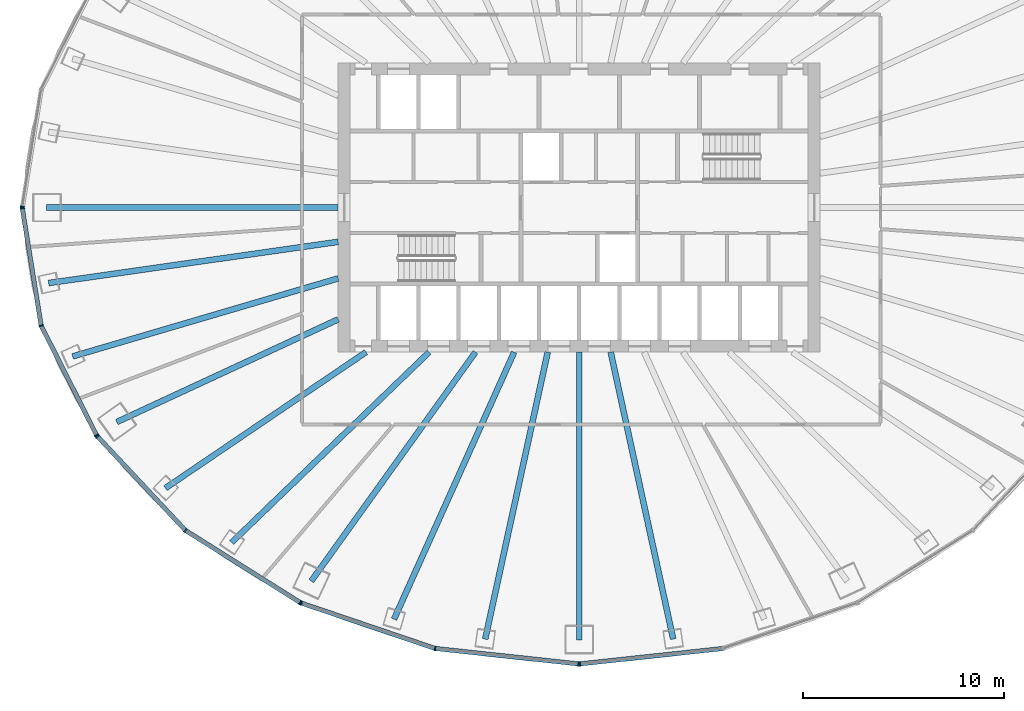
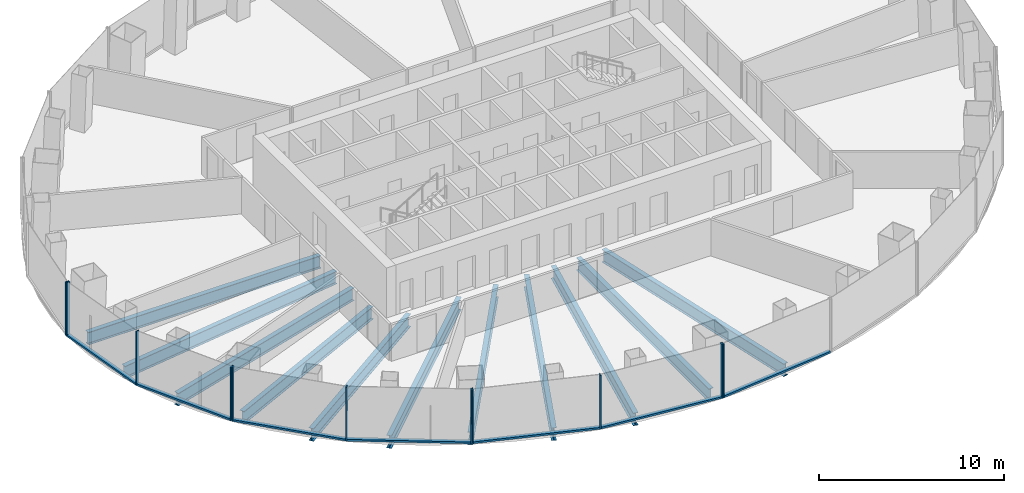
# One storey, part 2 of 11: 18 members, 11 beams, 5 elements without a shape of their own.
"""IFC4 building model written with IfcOpenShell, lengths in metres."""

import ifcopenshell
import ifcopenshell.guid

model = None  # the IFC model being written
_history = None  # IfcOwnerHistory: only IFC2X3 demands one
_inside = {}  # id of a spatial element -> (the spatial element, [elements in it])
_under = {}  # id of a project, library or spatial element -> (it, [spatial elements below it])
_declared = {}  # id of a project -> (the project, [libraries it declares])
_typed = {}  # id of a type object -> (the type object, [elements of that type])
_made_of = {}  # id of a material, layer set ... -> (it, [elements and type objects made of it])


def new_model(schema):
    """Start an empty IFC model of exactly this schema.

    Asked for "IFC4X3", IfcOpenShell would pick the latest addendum, in which some entities
    have other attributes; the version numbers below select the first issue.
    IFC2X3 requires an IfcOwnerHistory on every rooted entity: one is made here for all.
    """
    global model, _history
    if schema == "IFC4X3":
        model = ifcopenshell.file(schema_version=(4, 3, 0, 0))
    else:
        model = ifcopenshell.file(schema=schema)
    _inside.clear()
    _under.clear()
    _declared.clear()
    _typed.clear()
    _made_of.clear()
    _history = None
    if model.schema == "IFC2X3":
        org = make("IfcOrganization", Name="unknown")
        user = make(
            "IfcPersonAndOrganization",
            ThePerson=make("IfcPerson", FamilyName="unknown"),
            TheOrganization=org,
        )
        app = make(
            "IfcApplication",
            ApplicationDeveloper=org,
            Version="unknown",
            ApplicationFullName="unknown",
            ApplicationIdentifier="unknown",
        )
        _history = make(
            "IfcOwnerHistory",
            OwningUser=user,
            OwningApplication=app,
            ChangeAction="ADDED",
            CreationDate=0,
        )
    return model


def make(cls, **values):
    """One entity of the class cls with the attributes given. An attribute that is None is left unset."""
    return model.create_entity(
        cls, **{name: value for name, value in values.items() if value is not None}
    )


def rooted(cls, **values):
    """An entity with a GlobalId (a new one), such as an element, a storey or a relation."""
    return make(cls, GlobalId=ifcopenshell.guid.new(), OwnerHistory=_history, **values)


def si_unit(unit_type, name, prefix=None):
    """IfcSIUnit, for example si_unit("LENGTHUNIT", "METRE", prefix="MILLI")."""
    return make("IfcSIUnit", UnitType=unit_type, Prefix=prefix, Name=name)


def assignment(units):
    """IfcUnitAssignment: the units of a project."""
    return None if units is None else make("IfcUnitAssignment", Units=units)


def point(xyz):
    """IfcCartesianPoint."""
    return None if xyz is None else make("IfcCartesianPoint", Coordinates=xyz)


def direction(xyz):
    """IfcDirection."""
    return None if xyz is None else make("IfcDirection", DirectionRatios=xyz)


def frame(location, z_axis=None, x_axis=None):
    """IfcAxis2Placement3D, a coordinate frame: its origin and axes. An axis left out is left unset."""
    return make(
        "IfcAxis2Placement3D",
        Location=point(location),
        Axis=direction(z_axis),
        RefDirection=direction(x_axis),
    )


def frame_2d(location, x_axis=None):
    """IfcAxis2Placement2D, a coordinate frame in the plane: its origin and x axis."""
    return make(
        "IfcAxis2Placement2D", Location=point(location), RefDirection=direction(x_axis)
    )


def origin():
    """The frame at (0, 0, 0) with its axes left unset."""
    return frame((0.0, 0.0, 0.0))


def origin_2d():
    """The frame at (0, 0) in the plane with its x axis left unset."""
    return frame_2d((0.0, 0.0))


def place(relative_to, where):
    """IfcLocalPlacement: puts the frame where relative to a parent placement (None: the world)."""
    return make(
        "IfcLocalPlacement", PlacementRelTo=relative_to, RelativePlacement=where
    )


def context(
    kind, dimensions, precision=None, world=None, true_north=None, identifier=None
):
    """IfcGeometricRepresentationContext, for example the 3D "Model" context."""
    return make(
        "IfcGeometricRepresentationContext",
        ContextIdentifier=identifier,
        ContextType=kind,
        CoordinateSpaceDimension=dimensions,
        Precision=precision,
        WorldCoordinateSystem=world,
        TrueNorth=true_north,
    )


def subcontext(parent, identifier, kind, view, scale=None):
    """IfcGeometricRepresentationSubContext, for example "Body" below "Model"."""
    return make(
        "IfcGeometricRepresentationSubContext",
        ContextIdentifier=identifier,
        ContextType=kind,
        ParentContext=parent,
        TargetScale=scale,
        TargetView=view,
    )


def project(units=None, contexts=None):
    """IfcProject with its units and contexts."""
    return rooted(
        "IfcProject",
        Name="project",
        RepresentationContexts=contexts,
        UnitsInContext=assignment(units),
    )


def spatial(cls, under=None, at=None, **own):
    """A site, building, storey or space (cls), placed at a placement, below another one or the project."""
    s = rooted(cls, ObjectPlacement=at, **own)
    if under is not None:
        _under.setdefault(under.id(), (under, []))[1].append(s)
    return s


def profile(cls, at=None, kind="AREA", **sizes):
    """A parametric profile (cls). Its sizes go by their IFC names, for example OverallWidth=200.0."""
    return make(cls, ProfileType=kind, Position=at, **sizes)


def rectangle(**sizes):
    """IfcRectangleProfileDef."""
    return profile("IfcRectangleProfileDef", **sizes)


def i_section(**sizes):
    """IfcIShapeProfileDef."""
    return profile("IfcIShapeProfileDef", **sizes)


def extrude(swept, where, along, depth):
    """IfcExtrudedAreaSolid: the profile swept, set in the frame where, extruded along a direction by depth."""
    return make(
        "IfcExtrudedAreaSolid",
        SweptArea=swept,
        Position=where,
        ExtrudedDirection=direction(along),
        Depth=depth,
    )


def shape(context_of_items, identifier, shape_type, items):
    """IfcShapeRepresentation: the items that make up one representation, for example the "Body"."""
    return make(
        "IfcShapeRepresentation",
        ContextOfItems=context_of_items,
        RepresentationIdentifier=identifier,
        RepresentationType=shape_type,
        Items=items,
    )


def material(Name=None, Category=None):
    """IfcMaterial."""
    return make("IfcMaterial", Name=Name, Category=Category)


def layer(
    of_material, thickness, ventilated=None, Name=None, Category=None, Priority=None
):
    """IfcMaterialLayer: one layer of a wall or slab, of a material (None: an air gap)."""
    return make(
        "IfcMaterialLayer",
        Material=of_material,
        LayerThickness=thickness,
        IsVentilated=ventilated,
        Name=Name,
        Category=Category,
        Priority=Priority,
    )


def layer_set(layers, Name=None):
    """IfcMaterialLayerSet."""
    return make("IfcMaterialLayerSet", MaterialLayers=layers, LayerSetName=Name)


def material_profile(
    of_material, cross_section, Name=None, Category=None, Priority=None
):
    """IfcMaterialProfile: a cross section and its material."""
    return make(
        "IfcMaterialProfile",
        Name=Name,
        Material=of_material,
        Profile=cross_section,
        Priority=Priority,
        Category=Category,
    )


def profile_set(profiles, Name=None, composite=None):
    """IfcMaterialProfileSet."""
    return make(
        "IfcMaterialProfileSet",
        Name=Name,
        MaterialProfiles=profiles,
        CompositeProfile=composite,
    )


def made_of(thing, what):
    """Note that an element or type object is made of a material, layer set ...; save() writes the relation."""
    if what is not None:
        _made_of.setdefault(what.id(), (what, []))[1].append(thing)
    return thing


def type_object(cls, material=None, **own):
    """A type object (cls), such as IfcWallType, which elements share."""
    return made_of(rooted(cls, **own), material)


def element(
    cls,
    number,
    at=None,
    inside=None,
    cuts=None,
    type_object=None,
    material=None,
    context=None,
    identifier="Body",
    shape_type=None,
    held_by="IfcProductDefinitionShape",
    body=None,
    shapes=None,
    **own,
):
    """One element of the class cls, such as IfcWall. Its Tag is "e" and its number.

    at: its placement. inside: the storey or other place that contains it. cuts: it is an
    opening in that element (IfcRelVoidsElement). A single representation is given by context,
    identifier, shape_type and body (its items); several are given by shapes. held_by: the class
    of the entity that holds the representations. save() writes the other relations.
    """
    e = rooted(cls, Tag="e%d" % number, ObjectPlacement=at, **own)
    if body is not None:
        shapes = [shape(context, identifier, shape_type, body)]
    if shapes is not None:
        e.Representation = make(held_by, Representations=shapes)
    if inside is not None:
        _inside.setdefault(inside.id(), (inside, []))[1].append(e)
    if cuts is not None:
        rooted(
            "IfcRelVoidsElement", RelatingBuildingElement=cuts, RelatedOpeningElement=e
        )
    if type_object is not None:
        _typed.setdefault(type_object.id(), (type_object, []))[1].append(e)
    return made_of(e, material)


def aggregate(whole, parts):
    """IfcRelAggregates: a whole, such as a stair, and the parts it consists of."""
    return rooted("IfcRelAggregates", RelatingObject=whole, RelatedObjects=parts)


def save(model, path):
    """Write the relations noted so far, then the file.

    IfcRelAggregates (storeys below a building ...), IfcRelContainedInSpatialStructure (elements
    in a storey), IfcRelDefinesByType, IfcRelAssociatesMaterial and IfcRelDeclares: one each for
    every whole, place, type object, material and project.
    """
    for whole, parts in _under.values():
        aggregate(whole, parts)
    for where, things in _inside.values():
        rooted(
            "IfcRelContainedInSpatialStructure",
            RelatedElements=things,
            RelatingStructure=where,
        )
    for kind, things in _typed.values():
        rooted("IfcRelDefinesByType", RelatedObjects=things, RelatingType=kind)
    for what, things in _made_of.values():
        rooted("IfcRelAssociatesMaterial", RelatedObjects=things, RelatingMaterial=what)
    for by, libraries in _declared.values():
        rooted("IfcRelDeclares", RelatingContext=by, RelatedDefinitions=libraries)
    model.write(path)


model = new_model("IFC4")

# Units and contexts
model_context = context("Model", 3, precision=1e-05, world=origin(), true_north=direction((0.0, 1.0)))
body_context = subcontext(model_context, "Body", "Model", "MODEL_VIEW")
ifc_project = project(units=[si_unit("LENGTHUNIT", "METRE"), si_unit("AREAUNIT", "SQUARE_METRE"), si_unit("VOLUMEUNIT", "CUBIC_METRE"), si_unit("PLANEANGLEUNIT", "RADIAN"), si_unit("MASSUNIT", "GRAM", prefix="KILO")], contexts=[model_context])

# Site, building, storey
site_placement = place(None, origin())
site = spatial("IfcSite", under=ifc_project, at=site_placement, CompositionType="ELEMENT")
building_placement = place(site_placement, origin())
building = spatial("IfcBuilding", under=site, at=building_placement, Name="Siaravel Broadcast Tower", CompositionType="ELEMENT")
storey_placement = place(building_placement, frame((0.0, 0.0, 55.60009765625)))
storey = spatial("IfcBuildingStorey", under=building, at=storey_placement, Name="L12", CompositionType="ELEMENT", Elevation=55.60009765625)

# Beams
ifc_material_1 = material(Name="Steel S355", Category="steel")
ifc_material_profile_1 = material_profile(ifc_material_1, i_section(OverallWidth=0.291748046875, OverallDepth=0.8349609375, WebThickness=0.013916015625, FlangeThickness=0.018798828125, FilletRadius=0.017822265625, at=origin_2d()))
ifc_profile_set_1 = profile_set([ifc_material_profile_1], Name="Steel S355")
beam_type = type_object("IfcBeamType", Name="BM-UB 838x292x176", PredefinedType="BEAM", material=ifc_profile_set_1)
beam_1_placement = place(storey_placement, frame((-26.517822265625, 0.0, -0.5673828125), z_axis=(1.0, 0.0, 0.0), x_axis=(0.0, 1.0, 0.0)))
element("IfcBeam", 1, at=beam_1_placement, inside=storey, type_object=beam_type, Name="Radial beam RB19", PredefinedType="BEAM", context=body_context, shape_type="SweptSolid", body=[
    extrude(i_section(OverallWidth=0.291748046875, OverallDepth=0.8349609375, WebThickness=0.013916015625, FlangeThickness=0.018798828125, FilletRadius=0.017822265625, at=origin_2d()), origin(), (0.0, 0.0, 1.0), 14.517822265625),
])
beam_2_placement = place(storey_placement, frame((-26.416259765625, -3.760009765625, -0.5673828125), z_axis=(0.990021125, 0.140919026, 0.0), x_axis=(-0.140919026, 0.990021125, 0.0)))
element("IfcBeam", 2, at=beam_2_placement, inside=storey, type_object=beam_type, Name="Radial beam RB20", PredefinedType="BEAM", context=body_context, shape_type="SweptSolid", body=[
    extrude(i_section(OverallWidth=0.291748046875, OverallDepth=0.8349609375, WebThickness=0.013916015625, FlangeThickness=0.018798828125, FilletRadius=0.017822265625, at=origin_2d()), origin(), (0.0, 0.0, 1.0), 14.5615234375),
])
beam_3_placement = place(storey_placement, frame((-25.22119140625, -7.412353515625, -0.5673828125), z_axis=(0.959421341, 0.281976402, 0.0), x_axis=(-0.281976402, 0.959421341, 0.0)))
element("IfcBeam", 3, at=beam_3_placement, inside=storey, type_object=beam_type, Name="Radial beam RB21", PredefinedType="BEAM", context=body_context, shape_type="SweptSolid", body=[
    extrude(i_section(OverallWidth=0.291748046875, OverallDepth=0.8349609375, WebThickness=0.013916015625, FlangeThickness=0.018798828125, FilletRadius=0.017822265625, at=origin_2d()), origin(), (0.0, 0.0, 1.0), 13.7802734375),
])
beam_4_placement = place(storey_placement, frame((-23.018798828125, -10.677490234375, -0.5673828125), z_axis=(0.907159436, 0.420787069, 0.0), x_axis=(-0.420787069, 0.907159436, 0.0)))
element("IfcBeam", 4, at=beam_4_placement, inside=storey, type_object=beam_type, Name="Radial beam RB22", PredefinedType="BEAM", context=body_context, shape_type="SweptSolid", body=[
    extrude(i_section(OverallWidth=0.291748046875, OverallDepth=0.8349609375, WebThickness=0.013916015625, FlangeThickness=0.018798828125, FilletRadius=0.017822265625, at=origin_2d()), origin(), (0.0, 0.0, 1.0), 12.146484375),
])
beam_5_placement = place(storey_placement, frame((-20.59765625, -13.96875, -0.5673828125), z_axis=(0.8276296, 0.561274661, 0.0), x_axis=(-0.561274661, 0.8276296, 0.0)))
element("IfcBeam", 5, at=beam_5_placement, inside=storey, type_object=beam_type, Name="Radial beam RB23", PredefinedType="BEAM", context=body_context, shape_type="SweptSolid", body=[
    extrude(i_section(OverallWidth=0.291748046875, OverallDepth=0.8349609375, WebThickness=0.013916015625, FlangeThickness=0.018798828125, FilletRadius=0.017822265625, at=origin_2d()), origin(), (0.0, 0.0, 1.0), 12.0595703125),
])
beam_6_placement = place(storey_placement, frame((-17.29931640625, -16.67041015625, -0.5673828125), z_axis=(0.720070904, 0.693900493, 0.0), x_axis=(-0.693900493, 0.720070904, 0.0)))
element("IfcBeam", 6, at=beam_6_placement, inside=storey, type_object=beam_type, Name="Radial beam RB24", PredefinedType="BEAM", context=body_context, shape_type="SweptSolid", body=[
    extrude(i_section(OverallWidth=0.291748046875, OverallDepth=0.8349609375, WebThickness=0.013916015625, FlangeThickness=0.018798828125, FilletRadius=0.017822265625, at=origin_2d()), origin(), (0.0, 0.0, 1.0), 13.648193359375),
])
beam_7_placement = place(storey_placement, frame((-13.338623046875, -18.596923828125, -0.5673828125), z_axis=(0.582824427, 0.812598109, 0.0), x_axis=(-0.812598109, 0.582824427, 0.0)))
element("IfcBeam", 7, at=beam_7_placement, inside=storey, type_object=beam_type, Name="Radial beam RB25", PredefinedType="BEAM", context=body_context, shape_type="SweptSolid", body=[
    extrude(i_section(OverallWidth=0.291748046875, OverallDepth=0.8349609375, WebThickness=0.013916015625, FlangeThickness=0.018798828125, FilletRadius=0.017822265625, at=origin_2d()), origin(), (0.0, 0.0, 1.0), 14.025390625),
])
beam_8_placement = place(storey_placement, frame((-9.21728515625, -20.4912109375, -0.5673828125), z_axis=(0.410219095, 0.911987003, 0.0), x_axis=(-0.911987003, 0.410219095, 0.0)))
element("IfcBeam", 8, at=beam_8_placement, inside=storey, type_object=beam_type, Name="Radial beam RB26", PredefinedType="BEAM", context=body_context, shape_type="SweptSolid", body=[
    extrude(i_section(OverallWidth=0.291748046875, OverallDepth=0.8349609375, WebThickness=0.013916015625, FlangeThickness=0.018798828125, FilletRadius=0.017822265625, at=origin_2d()), origin(), (0.0, 0.0, 1.0), 14.573974609375),
])
beam_9_placement = place(storey_placement, frame((-4.681396484375, -21.48681640625, -0.5673828125), z_axis=(0.212883659, 0.977077555, 0.0), x_axis=(-0.977077555, 0.212883659, 0.0)))
element("IfcBeam", 9, at=beam_9_placement, inside=storey, type_object=beam_type, Name="Radial beam RB27", PredefinedType="BEAM", context=body_context, shape_type="SweptSolid", body=[
    extrude(i_section(OverallWidth=0.291748046875, OverallDepth=0.8349609375, WebThickness=0.013916015625, FlangeThickness=0.018798828125, FilletRadius=0.017822265625, at=origin_2d()), origin(), (0.0, 0.0, 1.0), 14.6220703125),
])
beam_10_placement = place(storey_placement, frame((0.0, -21.522216796875, -0.5673828125), z_axis=(0.0, 1.0, 0.0), x_axis=(-1.0, 0.0, 0.0)))
element("IfcBeam", 10, at=beam_10_placement, inside=storey, type_object=beam_type, Name="Radial beam RB28", PredefinedType="BEAM", context=body_context, shape_type="SweptSolid", body=[
    extrude(i_section(OverallWidth=0.291748046875, OverallDepth=0.8349609375, WebThickness=0.013916015625, FlangeThickness=0.018798828125, FilletRadius=0.017822265625, at=origin_2d()), origin(), (0.0, 0.0, 1.0), 14.322265625),
])
beam_11_placement = place(storey_placement, frame((4.681396484375, -21.48681640625, -0.5673828125), z_axis=(-0.212883659, 0.977077555, 0.0), x_axis=(-0.977077555, -0.212883659, 0.0)))
element("IfcBeam", 11, at=beam_11_placement, inside=storey, type_object=beam_type, Name="Radial beam RB29", PredefinedType="BEAM", context=body_context, shape_type="SweptSolid", body=[
    extrude(i_section(OverallWidth=0.291748046875, OverallDepth=0.8349609375, WebThickness=0.013916015625, FlangeThickness=0.018798828125, FilletRadius=0.017822265625, at=origin_2d()), origin(), (0.0, 0.0, 1.0), 14.6220703125),
])

# Curtain wall, member
ifc_material_2 = material(Name="Aluminium 6063-T6", Category="aluminium")
ifc_layer = layer(ifc_material_2, 0.219970703125)
ifc_layer_set = layer_set([ifc_layer], Name="Aluminium 6063-T6")
curtain_wall_type = type_object("IfcCurtainWallType", Name="Unitised curtain wall, zone 1", PredefinedType="NOTDEFINED", material=ifc_layer_set)
curtain_wall_1_placement = place(storey_placement, origin())
curtain_wall_1 = element("IfcCurtainWall", 12, at=curtain_wall_1_placement, inside=storey, type_object=curtain_wall_type, Name="L12 Unitised curtain wall, zone 1 06", PredefinedType="NOTDEFINED")
ifc_material_profile_2 = material_profile(ifc_material_2, rectangle(XDim=0.219970703125, YDim=0.070068359375, at=origin_2d()))
ifc_profile_set_2 = profile_set([ifc_material_profile_2], Name="Aluminium 6063-T6")
member_type_1 = type_object("IfcMemberType", Name="CW-Z1 mullion", PredefinedType="MULLION", material=ifc_profile_set_2)
member_1_placement = place(storey_placement, frame((-27.726318359375, 0.03466796875, 0.0), z_axis=(0.0, 0.0, 1.0), x_axis=(0.987329143, -0.158685735, 0.0)))
member_1 = element("IfcMember", 13, at=member_1_placement, type_object=member_type_1, Name="CW-Z1 mullion 3", PredefinedType="MULLION", context=body_context, shape_type="SweptSolid", body=[
    extrude(rectangle(XDim=0.219970703125, YDim=0.070068359375, at=origin_2d()), origin(), (0.0, 0.0, 1.0), 3.5498046875),
])
aggregate(curtain_wall_1, [member_1])

# Curtain wall, members
curtain_wall_2_placement = place(storey_placement, origin())
curtain_wall_2 = element("IfcCurtainWall", 14, at=curtain_wall_2_placement, inside=storey, type_object=curtain_wall_type, Name="L12 Unitised curtain wall, zone 1 07", PredefinedType="NOTDEFINED")
member_2_placement = place(storey_placement, frame((-27.726318359375, -0.03466796875, 0.0), z_axis=(0.0, 0.0, 1.0), x_axis=(0.987329143, 0.158685735, 0.0)))
member_2 = element("IfcMember", 15, at=member_2_placement, type_object=member_type_1, Name="CW-Z1 mullion 1", PredefinedType="MULLION", context=body_context, shape_type="SweptSolid", body=[
    extrude(rectangle(XDim=0.219970703125, YDim=0.070068359375, at=origin_2d()), origin(), (0.0, 0.0, 1.0), 3.5498046875),
])
member_3_placement = place(storey_placement, frame((-26.7861328125, -5.88427734375, 0.0), z_axis=(0.0, 0.0, 1.0), x_axis=(0.951177111, 0.308645596, 0.0)))
member_3 = element("IfcMember", 16, at=member_3_placement, type_object=member_type_1, Name="CW-Z1 mullion 2", PredefinedType="MULLION", context=body_context, shape_type="SweptSolid", body=[
    extrude(rectangle(XDim=0.219970703125, YDim=0.070068359375, at=origin_2d()), origin(), (0.0, 0.0, 1.0), 3.5498046875),
])
member_4_placement = place(storey_placement, frame((-24.02978515625, -11.3349609375, 0.0), z_axis=(0.0, 0.0, 1.0), x_axis=(0.892391886, 0.451261257, 0.0)))
member_4 = element("IfcMember", 17, at=member_4_placement, type_object=member_type_1, Name="CW-Z1 mullion 3", PredefinedType="MULLION", context=body_context, shape_type="SweptSolid", body=[
    extrude(rectangle(XDim=0.219970703125, YDim=0.070068359375, at=origin_2d()), origin(), (0.0, 0.0, 1.0), 3.5498046875),
])

curtain_wall_3_placement = place(storey_placement, origin())
curtain_wall_3 = element("IfcCurtainWall", 18, at=curtain_wall_3_placement, inside=storey, type_object=curtain_wall_type, Name="L12 Unitised curtain wall, zone 1 08", PredefinedType="NOTDEFINED")
member_5_placement = place(storey_placement, frame((-23.990234375, -11.3916015625, 0.0), z_axis=(0.0, 0.0, 1.0), x_axis=(0.729805061, 0.683655302, 0.0)))
member_5 = element("IfcMember", 19, at=member_5_placement, type_object=member_type_1, Name="CW-Z1 mullion 1", PredefinedType="MULLION", context=body_context, shape_type="SweptSolid", body=[
    extrude(rectangle(XDim=0.219970703125, YDim=0.070068359375, at=origin_2d()), origin(), (0.0, 0.0, 1.0), 3.5498046875),
])
member_6_placement = place(storey_placement, frame((-19.605712890625, -16.072021484375, 0.0), z_axis=(0.0, 0.0, 1.0), x_axis=(0.636218527, 0.771508902, 0.0)))
member_6 = element("IfcMember", 20, at=member_6_placement, type_object=member_type_1, Name="CW-Z1 mullion 2", PredefinedType="MULLION", context=body_context, shape_type="SweptSolid", body=[
    extrude(rectangle(XDim=0.219970703125, YDim=0.070068359375, at=origin_2d()), origin(), (0.0, 0.0, 1.0), 3.5498046875),
])
member_7_placement = place(storey_placement, frame((-13.89208984375, -19.663330078125, 0.0), z_axis=(0.0, 0.0, 1.0), x_axis=(0.532149214, 0.846650586, 0.0)))
member_7 = element("IfcMember", 21, at=member_7_placement, type_object=member_type_1, Name="CW-Z1 mullion 3", PredefinedType="MULLION", context=body_context, shape_type="SweptSolid", body=[
    extrude(rectangle(XDim=0.219970703125, YDim=0.070068359375, at=origin_2d()), origin(), (0.0, 0.0, 1.0), 3.5498046875),
])

curtain_wall_4_placement = place(storey_placement, origin())
curtain_wall_4 = element("IfcCurtainWall", 22, at=curtain_wall_4_placement, inside=storey, type_object=curtain_wall_type, Name="L12 Unitised curtain wall, zone 1 09", PredefinedType="NOTDEFINED")
member_8_placement = place(storey_placement, frame((-13.8291015625, -19.693115234375, 0.0), z_axis=(0.0, 0.0, 1.0), x_axis=(0.321300709, 0.94697722, 0.0)))
member_8 = element("IfcMember", 23, at=member_8_placement, type_object=member_type_1, Name="CW-Z1 mullion 1", PredefinedType="MULLION", context=body_context, shape_type="SweptSolid", body=[
    extrude(rectangle(XDim=0.219970703125, YDim=0.070068359375, at=origin_2d()), origin(), (0.0, 0.0, 1.0), 3.5498046875),
])
member_9_placement = place(storey_placement, frame((-7.17529296875, -21.95068359375, 0.0), z_axis=(0.0, 0.0, 1.0), x_axis=(0.215558136, 0.976491009, 0.0)))
member_9 = element("IfcMember", 24, at=member_9_placement, type_object=member_type_1, Name="CW-Z1 mullion 2", PredefinedType="MULLION", context=body_context, shape_type="SweptSolid", body=[
    extrude(rectangle(XDim=0.219970703125, YDim=0.070068359375, at=origin_2d()), origin(), (0.0, 0.0, 1.0), 3.5498046875),
])
member_10_placement = place(storey_placement, frame((-0.034912109375, -22.720703125, 0.0), z_axis=(0.0, 0.0, 1.0), x_axis=(0.107217536, 0.994235586, 0.0)))
member_10 = element("IfcMember", 25, at=member_10_placement, type_object=member_type_1, Name="CW-Z1 mullion 3", PredefinedType="MULLION", context=body_context, shape_type="SweptSolid", body=[
    extrude(rectangle(XDim=0.219970703125, YDim=0.070068359375, at=origin_2d()), origin(), (0.0, 0.0, 1.0), 3.5498046875),
])

# Curtain wall, member
curtain_wall_5_placement = place(storey_placement, origin())
curtain_wall_5 = element("IfcCurtainWall", 26, at=curtain_wall_5_placement, inside=storey, type_object=curtain_wall_type, Name="L12 Unitised curtain wall, zone 1 10", PredefinedType="NOTDEFINED")
member_11_placement = place(storey_placement, frame((0.034912109375, -22.720703125, 0.0), z_axis=(0.0, 0.0, 1.0), x_axis=(-0.107217536, 0.994235586, 0.0)))
member_11 = element("IfcMember", 27, at=member_11_placement, type_object=member_type_1, Name="CW-Z1 mullion 1", PredefinedType="MULLION", context=body_context, shape_type="SweptSolid", body=[
    extrude(rectangle(XDim=0.219970703125, YDim=0.070068359375, at=origin_2d()), origin(), (0.0, 0.0, 1.0), 3.5498046875),
])

# Member
ifc_material_profile_3 = material_profile(ifc_material_2, rectangle(XDim=0.219970703125, YDim=0.1201171875, at=origin_2d()))
ifc_profile_set_3 = profile_set([ifc_material_profile_3], Name="Aluminium 6063-T6")
member_type_2 = type_object("IfcMemberType", Name="CW-Z1 transom", PredefinedType="USERDEFINED", material=ifc_profile_set_3)
member_12_placement = place(storey_placement, frame((-27.720703125, -0.069091796875, 0.059814453125), z_axis=(0.158668659, -0.987331888, 0.0), x_axis=(0.987331888, 0.158668659, 0.0)))
member_12 = element("IfcMember", 28, at=member_12_placement, type_object=member_type_2, Name="CW-Z1 transom 1", ObjectType="TRANSOM", PredefinedType="USERDEFINED", context=body_context, shape_type="SweptSolid", body=[
    extrude(rectangle(XDim=0.219970703125, YDim=0.1201171875, at=origin_2d()), origin(), (0.0, 0.0, 1.0), 5.854736328125),
])

member_13_placement = place(storey_placement, frame((-26.7705078125, -5.915283203125, 0.059814453125), z_axis=(0.451268424, -0.892388262, 0.0), x_axis=(0.892388262, 0.451268424, 0.0)))
member_13 = element("IfcMember", 29, at=member_13_placement, type_object=member_type_2, Name="CW-Z1 transom 2", ObjectType="TRANSOM", PredefinedType="USERDEFINED", context=body_context, shape_type="SweptSolid", body=[
    extrude(rectangle(XDim=0.219970703125, YDim=0.1201171875, at=origin_2d()), origin(), (0.0, 0.0, 1.0), 6.038330078125),
])

aggregate(curtain_wall_2, [member_2, member_3, member_4, member_12, member_13])

member_14_placement = place(storey_placement, frame((-23.96630859375, -11.417236328125, 0.059814453125), z_axis=(0.683676063, -0.729785613, 0.0), x_axis=(0.729785613, 0.683676063, 0.0)))
member_14 = element("IfcMember", 30, at=member_14_placement, type_object=member_type_2, Name="CW-Z1 transom 1", ObjectType="TRANSOM", PredefinedType="USERDEFINED", context=body_context, shape_type="SweptSolid", body=[
    extrude(rectangle(XDim=0.219970703125, YDim=0.1201171875, at=origin_2d()), origin(), (0.0, 0.0, 1.0), 6.34326171875),
])

member_15_placement = place(storey_placement, frame((-19.576171875, -16.0908203125, 0.059814453125), z_axis=(0.846658666, -0.532136358, 0.0), x_axis=(0.532136358, 0.846658666, 0.0)))
member_15 = element("IfcMember", 31, at=member_15_placement, type_object=member_type_2, Name="CW-Z1 transom 2", ObjectType="TRANSOM", PredefinedType="USERDEFINED", context=body_context, shape_type="SweptSolid", body=[
    extrude(rectangle(XDim=0.219970703125, YDim=0.1201171875, at=origin_2d()), origin(), (0.0, 0.0, 1.0), 6.6787109375),
])

aggregate(curtain_wall_3, [member_5, member_6, member_7, member_14, member_15])

member_16_placement = place(storey_placement, frame((-13.7958984375, -19.70458984375, 0.059814453125), z_axis=(0.946974505, -0.321308709, 0.0), x_axis=(0.321308709, 0.946974505, 0.0)))
member_16 = element("IfcMember", 32, at=member_16_placement, type_object=member_type_2, Name="CW-Z1 transom 1", ObjectType="TRANSOM", PredefinedType="USERDEFINED", context=body_context, shape_type="SweptSolid", body=[
    extrude(rectangle(XDim=0.219970703125, YDim=0.1201171875, at=origin_2d()), origin(), (0.0, 0.0, 1.0), 6.956298828125),
])

member_17_placement = place(storey_placement, frame((-7.140380859375, -21.95458984375, 0.059814453125), z_axis=(0.994236456, -0.107209463, 0.0), x_axis=(0.107209463, 0.994236456, 0.0)))
member_17 = element("IfcMember", 33, at=member_17_placement, type_object=member_type_2, Name="CW-Z1 transom 2", ObjectType="TRANSOM", PredefinedType="USERDEFINED", context=body_context, shape_type="SweptSolid", body=[
    extrude(rectangle(XDim=0.219970703125, YDim=0.1201171875, at=origin_2d()), origin(), (0.0, 0.0, 1.0), 7.11181640625),
])

aggregate(curtain_wall_4, [member_8, member_9, member_10, member_16, member_17])

member_18_placement = place(storey_placement, frame((0.069580078125, -22.717041015625, 0.059814453125), z_axis=(0.994236456, 0.107209463, 0.0), x_axis=(-0.107209463, 0.994236456, 0.0)))
member_18 = element("IfcMember", 34, at=member_18_placement, type_object=member_type_2, Name="CW-Z1 transom 1", ObjectType="TRANSOM", PredefinedType="USERDEFINED", context=body_context, shape_type="SweptSolid", body=[
    extrude(rectangle(XDim=0.219970703125, YDim=0.1201171875, at=origin_2d()), origin(), (0.0, 0.0, 1.0), 7.11181640625),
])

aggregate(curtain_wall_5, [member_11, member_18])

save(model, "model.ifc")
